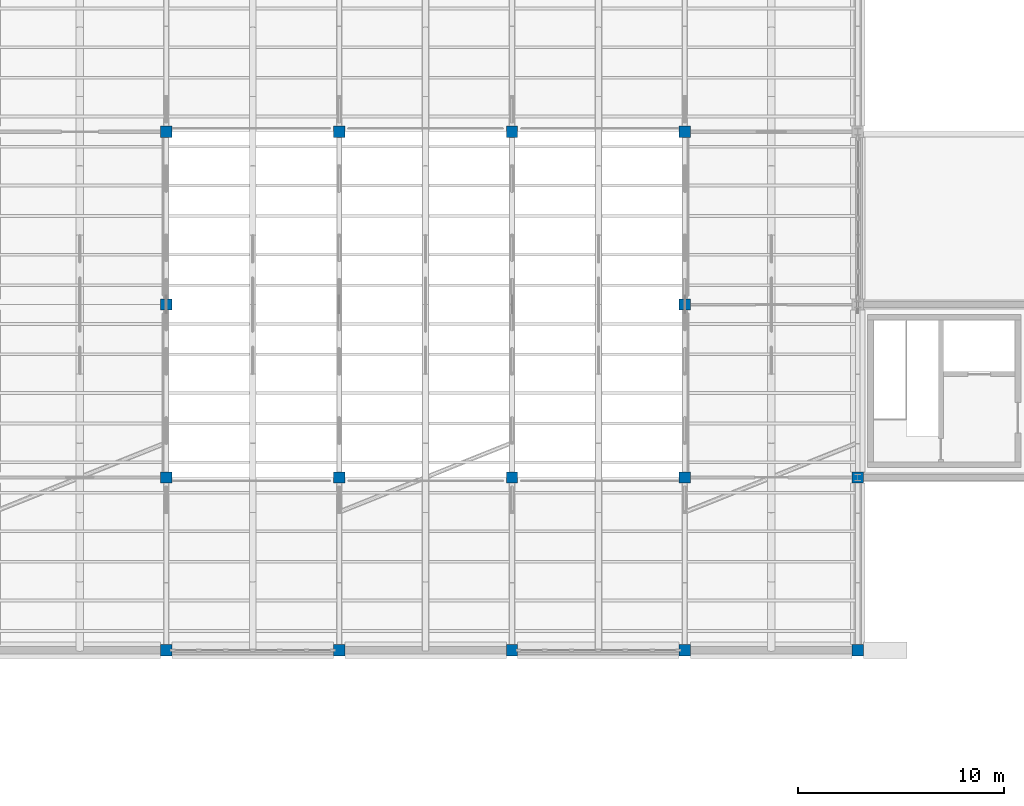
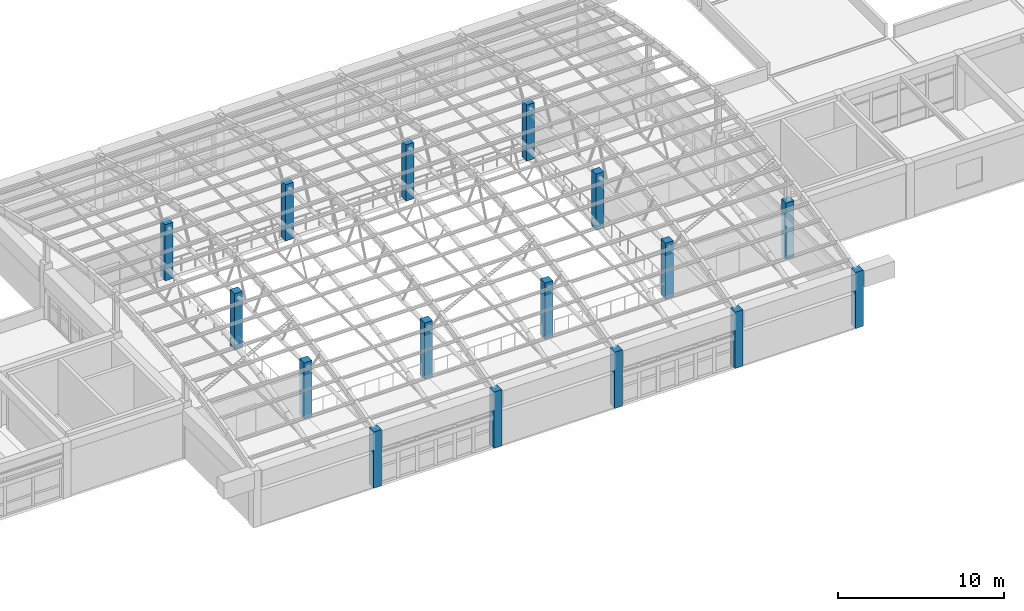
# One storey, part 3 of 74: 16 columns.
"""IFC4 building model written with IfcOpenShell, lengths in metres."""

from ifc_helpers import new_model, si_unit, direction, frame, origin, origin_2d, place, context, subcontext, project, spatial, rectangle, extrude, material, material_profile, profile_set, type_object, element, save


model = new_model("IFC4")

# Units and contexts
model_context = context("Model", 3, precision=1e-05, world=origin(), true_north=direction((0.0, 1.0)))
body_context = subcontext(model_context, "Body", "Model", "MODEL_VIEW")
ifc_project = project(units=[si_unit("LENGTHUNIT", "METRE"), si_unit("AREAUNIT", "SQUARE_METRE"), si_unit("VOLUMEUNIT", "CUBIC_METRE"), si_unit("PLANEANGLEUNIT", "RADIAN"), si_unit("MASSUNIT", "GRAM", prefix="KILO")], contexts=[model_context])

# Site, building, storey
site_placement = place(None, origin())
site = spatial("IfcSite", under=ifc_project, at=site_placement, CompositionType="ELEMENT")
building_placement = place(site_placement, origin())
building = spatial("IfcBuilding", under=site, at=building_placement, Name="Porcellanite Civic Hall", CompositionType="ELEMENT")
storey_placement = place(building_placement, frame((0.0, 0.0, 14.760009765625)))
storey = spatial("IfcBuildingStorey", under=building, at=storey_placement, Name="L03", CompositionType="ELEMENT", Elevation=14.760009765625)

# Columns
ifc_material = material(Name="Concrete N50 (50 MPa)", Category="concrete")
ifc_material_profile = material_profile(ifc_material, rectangle(XDim=0.550048828125, YDim=0.550048828125, at=origin_2d()), Name="RC-550x550")
ifc_profile_set = profile_set([ifc_material_profile], Name="Concrete N50 (50 MPa)")
column_type = type_object("IfcColumnType", Name="COL-550", PredefinedType="COLUMN", material=ifc_profile_set)
for number, where, z_axis, x_axis, name in (
    (1, (75.60009765625, 42.0, 0.0), (0.0, 0.0, 1.0), (1.0, 0.0, 0.0), "Column L03 9-5"),
    (2, (75.60009765625, 50.39990234375, 0.0), (0.0, 0.0, 1.0), (1.0, 0.0, 0.0), "Column L03 9-6"),
    (3, (75.60009765625, 58.800048828125, 0.0), (0.0, 0.0, 1.0), (1.0, 0.0, 0.0), "Column L03 9-7"),
    (4, (75.60009765625, 67.199951171875, 0.0), (0.0, 0.0, 1.0), (1.0, 0.0, 0.0), "Column L03 9-8"),
    (5, (84.0, 42.0, 0.0), (0.0, 0.0, 1.0), (1.0, 0.0, 0.0), "Column L03 10-5"),
    (6, (84.0, 50.39990234375, 0.0), (0.0, 0.0, 1.0), (1.0, 0.0, 0.0), "Column L03 10-6"),
    (7, (84.0, 67.199951171875, 0.0), (0.0, 0.0, 1.0), (1.0, 0.0, 0.0), "Column L03 10-8"),
    (8, (92.39990234375, 42.0, 0.0), (0.0, 0.0, 1.0), (1.0, 0.0, 0.0), "Column L03 11-5"),
    (9, (92.39990234375, 50.39990234375, 0.0), (0.0, 0.0, 1.0), (1.0, 0.0, 0.0), "Column L03 11-6"),
    (10, (92.39990234375, 67.199951171875, 0.0), (0.0, 0.0, 1.0), (1.0, 0.0, 0.0), "Column L03 11-8"),
    (11, (100.800048828125, 42.0, 0.0), (0.0, 0.0, 1.0), (1.0, 0.0, 0.0), "Column L03 12-5"),
    (12, (100.800048828125, 50.39990234375, 0.0), (0.0, 0.0, 1.0), (1.0, 0.0, 0.0), "Column L03 12-6"),
    (13, (100.800048828125, 58.800048828125, 0.0), (0.0, 0.0, 1.0), (1.0, 0.0, 0.0), "Column L03 12-7"),
    (14, (100.800048828125, 67.199951171875, 0.0), (0.0, 0.0, 1.0), (1.0, 0.0, 0.0), "Column L03 12-8"),
    (15, (109.199951171875, 42.0, 0.0), (0.0, 0.0, 1.0), (1.0, 0.0, 0.0), "Column L03 13-5"),
    (16, (109.199951171875, 50.39990234375, 0.0), (0.0, 0.0, 1.0), (1.0, 0.0, 0.0), "Column L03 13-6"),
):
    element("IfcColumn", number, at=place(storey_placement, frame(where, z_axis=z_axis, x_axis=x_axis)), inside=storey, type_object=column_type, Name=name, PredefinedType="COLUMN", context=body_context, shape_type="SweptSolid", body=[
        extrude(rectangle(XDim=0.550048828125, YDim=0.550048828125, at=origin_2d()), origin(), (0.0, 0.0, 1.0), 4.139892578125),
    ])

save(model, "model.ifc")
